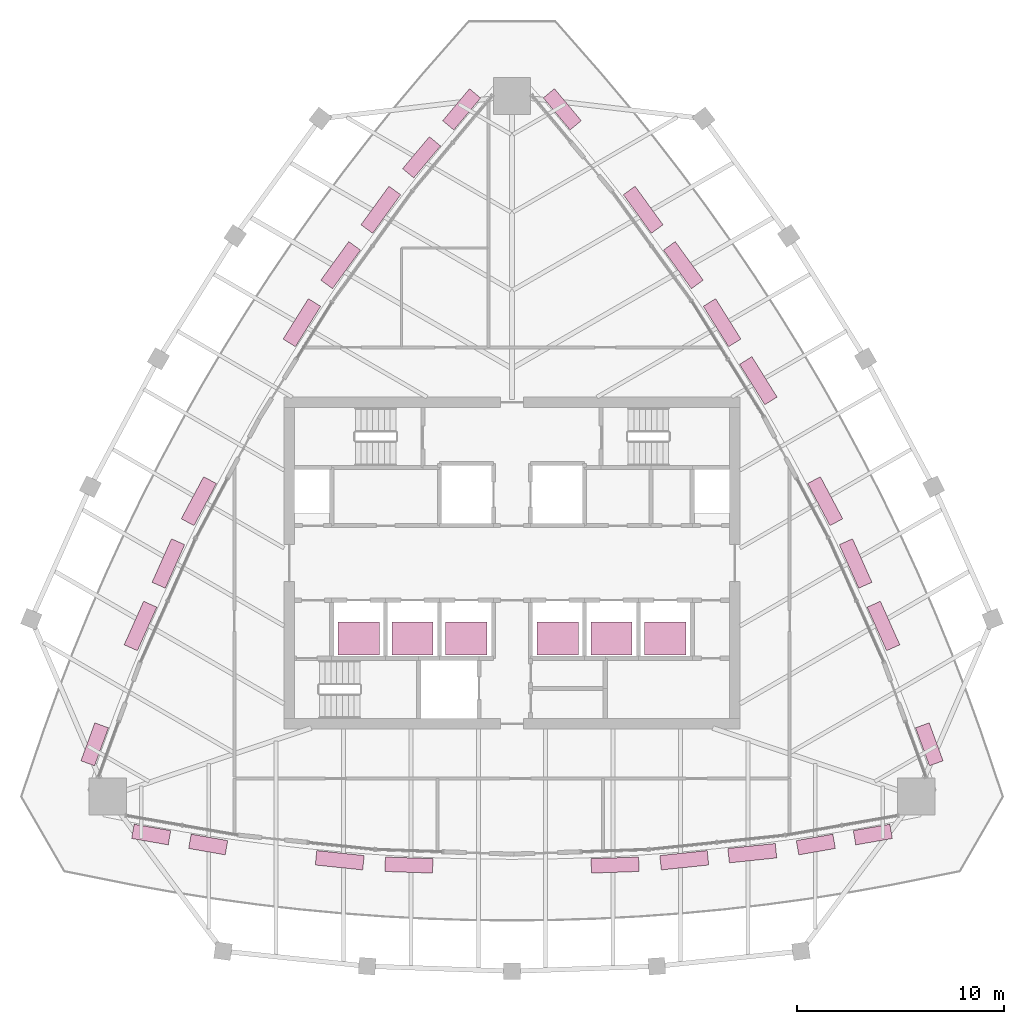
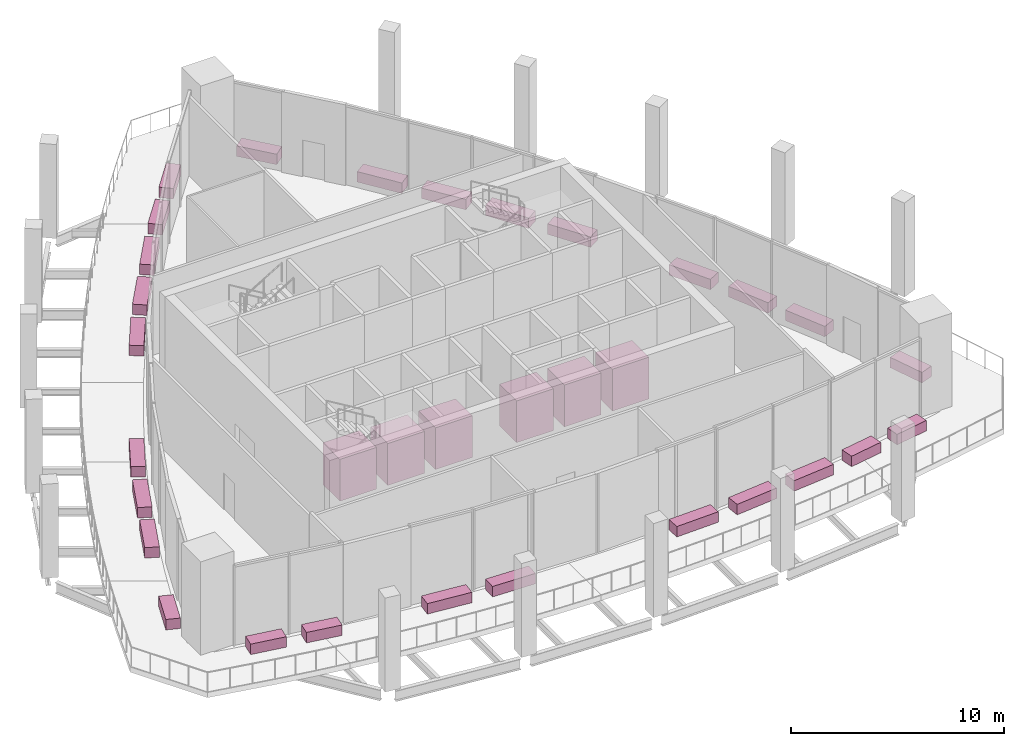
# One storey, part 14 of 14: 27 furniture elements, 6 transport elements.
"""IFC4 building model written with IfcOpenShell, lengths in metres."""

from ifc_helpers import new_model, si_unit, direction, frame, origin, origin_2d, place, context, subcontext, project, spatial, rectangle, extrude, material, type_object, element, save


model = new_model("IFC4")

# Units and contexts
model_context = context("Model", 3, precision=1e-05, world=origin(), true_north=direction((0.0, 1.0)))
body_context = subcontext(model_context, "Body", "Model", "MODEL_VIEW")
ifc_project = project(units=[si_unit("LENGTHUNIT", "METRE"), si_unit("AREAUNIT", "SQUARE_METRE"), si_unit("VOLUMEUNIT", "CUBIC_METRE"), si_unit("PLANEANGLEUNIT", "RADIAN"), si_unit("MASSUNIT", "GRAM", prefix="KILO")], contexts=[model_context])

# Site, building, storey
site_placement = place(None, origin())
site = spatial("IfcSite", under=ifc_project, at=site_placement, CompositionType="ELEMENT")
building_placement = place(site_placement, origin())
building = spatial("IfcBuilding", under=site, at=building_placement, Name="Sierra Prisma Convention Tower", CompositionType="ELEMENT")
storey_placement = place(building_placement, frame((0.0, 0.0, 339.39990234375)))
storey = spatial("IfcBuildingStorey", under=building, at=storey_placement, Name="L76", CompositionType="ELEMENT", Elevation=339.39990234375)

# Transport elements
ifc_material_1 = material(Name="Stainless steel", Category="steel")
transport_element_type = type_object("IfcTransportElementType", Name="Lift car office high 2000x1600 1600 kg", PredefinedType="ELEVATOR", material=ifc_material_1)
for number, where, z_axis, x_axis, name in (
    (1, (-7.39990234375, -3.64990234375, 0.000244140625), (0.0, 0.0, 1.0), (1.0, 0.0, 0.0), "Lift OH1"),
    (2, (-4.800048828125, -3.64990234375, 0.000244140625), (0.0, 0.0, 1.0), (1.0, 0.0, 0.0), "Lift OH2"),
    (3, (-2.199951171875, -3.64990234375, 0.000244140625), (0.0, 0.0, 1.0), (1.0, 0.0, 0.0), "Lift OH3"),
    (4, (2.199951171875, -3.64990234375, 0.000244140625), (0.0, 0.0, 1.0), (1.0, 0.0, 0.0), "Lift OH4"),
    (5, (4.800048828125, -3.64990234375, 0.000244140625), (0.0, 0.0, 1.0), (1.0, 0.0, 0.0), "Lift OH5"),
    (6, (7.39990234375, -3.64990234375, 0.000244140625), (0.0, 0.0, 1.0), (1.0, 0.0, 0.0), "Lift OH6"),
):
    element("IfcTransportElement", number, at=place(storey_placement, frame(where, z_axis=z_axis, x_axis=x_axis)), inside=storey, type_object=transport_element_type, Name=name, PredefinedType="ELEVATOR", context=body_context, shape_type="SweptSolid", body=[
        extrude(rectangle(XDim=2.0, YDim=1.60009765625, at=origin_2d()), origin(), (0.0, 0.0, 1.0), 2.39990234375),
    ])

# Furniture
ifc_material_2 = material(Name="Precast concrete C40/50", Category="concrete")
furniture_type = type_object("IfcFurnitureType", Name="Terrace planter", AssemblyPlace="NOTDEFINED", PredefinedType="USERDEFINED", material=ifc_material_2)
for number, where, z_axis, x_axis, name in (
    (7, (-17.41064453125, -13.10546875, 0.0400390625), (0.0, 0.0, 1.0), (0.985059501445, -0.172214339159, 0.0), "Deck planter L76"),
    (8, (-14.660400390625, -13.586181640625, 0.0400390625), (0.0, 0.0, 1.0), (0.985059501445, -0.172214339159, 0.0), "Deck planter L76"),
):
    element("IfcFurniture", number, at=place(storey_placement, frame(where, z_axis=z_axis, x_axis=x_axis)), inside=storey, type_object=furniture_type, Name=name, ObjectType="PLANTER", PredefinedType="USERDEFINED", context=body_context, shape_type="SweptSolid", body=[
        extrude(rectangle(XDim=1.791748046875, YDim=0.699951171875, at=origin_2d()), origin(), (0.0, 0.0, 1.0), 0.60009765625),
    ])
for number, where, z_axis, x_axis, name in (
    (9, (-8.3125, -14.3466796875, 0.0400390625), (0.0, 0.0, 1.0), (0.994612817709, -0.103659745555, 0.0), "Deck planter L76"),
    (10, (-4.972900390625, -14.578125, 0.0400390625), (0.0, 0.0, 1.0), (0.999400945798, -0.034608518301, 0.0), "Deck planter L76"),
    (11, (4.972900390625, -14.578125, 0.0400390625), (0.0, 0.0, 1.0), (0.999400945798, 0.034608518301, 0.0), "Deck planter L76"),
    (12, (8.3125, -14.3466796875, 0.0400390625), (0.0, 0.0, 1.0), (0.994612817709, 0.103659745555, 0.0), "Deck planter L76"),
    (13, (11.595703125, -14.00439453125, 0.0400390625), (0.0, 0.0, 1.0), (0.994612817709, 0.103659745555, 0.0), "Deck planter L76"),
):
    element("IfcFurniture", number, at=place(storey_placement, frame(where, z_axis=z_axis, x_axis=x_axis)), inside=storey, type_object=furniture_type, Name=name, ObjectType="PLANTER", PredefinedType="USERDEFINED", context=body_context, shape_type="SweptSolid", body=[
        extrude(rectangle(XDim=2.301025390625, YDim=0.699951171875, at=origin_2d()), origin(), (0.0, 0.0, 1.0), 0.60009765625),
    ])
for number, where, z_axis, x_axis, name in (
    (14, (14.660400390625, -13.586181640625, 0.0400390625), (0.0, 0.0, 1.0), (0.985059501445, 0.172214339159, 0.0), "Deck planter L76"),
    (15, (17.41064453125, -13.10546875, 0.0400390625), (0.0, 0.0, 1.0), (0.985059501445, 0.172214339159, 0.0), "Deck planter L76"),
):
    element("IfcFurniture", number, at=place(storey_placement, frame(where, z_axis=z_axis, x_axis=x_axis)), inside=storey, type_object=furniture_type, Name=name, ObjectType="PLANTER", PredefinedType="USERDEFINED", context=body_context, shape_type="SweptSolid", body=[
        extrude(rectangle(XDim=1.791748046875, YDim=0.699951171875, at=origin_2d()), origin(), (0.0, 0.0, 1.0), 0.60009765625),
    ])
furniture_1_placement = place(storey_placement, frame((20.1376953125, -8.751220703125, 0.0400390625), z_axis=(0.0, 0.0, 1.0), x_axis=(-0.343387758115, 0.939193722071, 0.0)))
element("IfcFurniture", 16, at=furniture_1_placement, inside=storey, type_object=furniture_type, Name="Deck planter L76", ObjectType="PLANTER", PredefinedType="USERDEFINED", context=body_context, shape_type="SweptSolid", body=[
    extrude(rectangle(XDim=1.9521484375, YDim=0.699951171875, at=origin_2d()), origin(), (0.0, 0.0, 1.0), 0.60009765625),
])
for number, where, z_axis, x_axis, name in (
    (17, (17.926025390625, -3.0400390625, 0.0400390625), (0.0, 0.0, 1.0), (-0.407534435854, 0.913189839843, 0.0), "Deck planter L76"),
    (18, (16.580810546875, -0.025390625, 0.0400390625), (0.0, 0.0, 1.0), (-0.407534435854, 0.913189839843, 0.0), "Deck planter L76"),
    (19, (15.111572265625, 2.982421875, 0.0400390625), (0.0, 0.0, 1.0), (-0.469728616863, 0.882810866777, 0.0), "Deck planter L76"),
    (20, (11.88720703125, 8.795654296875, 0.0400390625), (0.0, 0.0, 1.0), (-0.529672328935, 0.848202348476, 0.0), "Deck planter L76"),
    (21, (10.138671875, 11.595703125, 0.0400390625), (0.0, 0.0, 1.0), (-0.529672328935, 0.848202348476, 0.0), "Deck planter L76"),
    (22, (8.268310546875, 14.3720703125, 0.0400390625), (0.0, 0.0, 1.0), (-0.587078381855, 0.809530094288, 0.0), "Deck planter L76"),
    (23, (6.330322265625, 17.04443359375, 0.0400390625), (0.0, 0.0, 1.0), (-0.587078381855, 0.809530094288, 0.0), "Deck planter L76"),
):
    element("IfcFurniture", number, at=place(storey_placement, frame(where, z_axis=z_axis, x_axis=x_axis)), inside=storey, type_object=furniture_type, Name=name, ObjectType="PLANTER", PredefinedType="USERDEFINED", context=body_context, shape_type="SweptSolid", body=[
        extrude(rectangle(XDim=2.301025390625, YDim=0.699951171875, at=origin_2d()), origin(), (0.0, 0.0, 1.0), 0.60009765625),
    ])
furniture_2_placement = place(storey_placement, frame((2.4267578125, 21.890869140625, 0.0400390625), z_axis=(0.0, 0.0, 1.0), x_axis=(-0.641671743331, 0.766979382911, 0.0)))
element("IfcFurniture", 24, at=furniture_2_placement, inside=storey, type_object=furniture_type, Name="Deck planter L76", ObjectType="PLANTER", PredefinedType="USERDEFINED", context=body_context, shape_type="SweptSolid", body=[
    extrude(rectangle(XDim=2.017822265625, YDim=0.699951171875, at=origin_2d()), origin(), (0.0, 0.0, 1.0), 0.60009765625),
])
for number, where, z_axis, x_axis, name in (
    (25, (-2.42919921875, 21.887939453125, 0.0400390625), (0.0, 0.0, 1.0), (-0.641671743331, -0.766979382911, 0.0), "Deck planter L76"),
    (26, (-4.364013671875, 19.5751953125, 0.0400390625), (0.0, 0.0, 1.0), (-0.641671743331, -0.766979382911, 0.0), "Deck planter L76"),
):
    element("IfcFurniture", number, at=place(storey_placement, frame(where, z_axis=z_axis, x_axis=x_axis)), inside=storey, type_object=furniture_type, Name=name, ObjectType="PLANTER", PredefinedType="USERDEFINED", context=body_context, shape_type="SweptSolid", body=[
        extrude(rectangle(XDim=2.015380859375, YDim=0.699951171875, at=origin_2d()), origin(), (0.0, 0.0, 1.0), 0.60009765625),
    ])
for number, where, z_axis, x_axis, name in (
    (27, (-6.330322265625, 17.04443359375, 0.0400390625), (0.0, 0.0, 1.0), (-0.587078381855, -0.809530094288, 0.0), "Deck planter L76"),
    (28, (-8.268310546875, 14.3720703125, 0.0400390625), (0.0, 0.0, 1.0), (-0.587078381855, -0.809530094288, 0.0), "Deck planter L76"),
    (29, (-10.138671875, 11.595703125, 0.0400390625), (0.0, 0.0, 1.0), (-0.529672328935, -0.848202348476, 0.0), "Deck planter L76"),
    (30, (-15.111572265625, 2.982421875, 0.0400390625), (0.0, 0.0, 1.0), (-0.469728616863, -0.882810866777, 0.0), "Deck planter L76"),
    (31, (-16.580810546875, -0.025390625, 0.0400390625), (0.0, 0.0, 1.0), (-0.407534435854, -0.913189839843, 0.0), "Deck planter L76"),
    (32, (-17.926025390625, -3.0400390625, 0.0400390625), (0.0, 0.0, 1.0), (-0.407534435854, -0.913189839843, 0.0), "Deck planter L76"),
):
    element("IfcFurniture", number, at=place(storey_placement, frame(where, z_axis=z_axis, x_axis=x_axis)), inside=storey, type_object=furniture_type, Name=name, ObjectType="PLANTER", PredefinedType="USERDEFINED", context=body_context, shape_type="SweptSolid", body=[
        extrude(rectangle(XDim=2.301025390625, YDim=0.699951171875, at=origin_2d()), origin(), (0.0, 0.0, 1.0), 0.60009765625),
    ])
furniture_3_placement = place(storey_placement, frame((-20.13720703125, -8.75048828125, 0.0400390625), z_axis=(0.0, 0.0, 1.0), x_axis=(-0.343387758115, -0.939193722071, 0.0)))
element("IfcFurniture", 33, at=furniture_3_placement, inside=storey, type_object=furniture_type, Name="Deck planter L76", ObjectType="PLANTER", PredefinedType="USERDEFINED", context=body_context, shape_type="SweptSolid", body=[
    extrude(rectangle(XDim=1.95166015625, YDim=0.699951171875, at=origin_2d()), origin(), (0.0, 0.0, 1.0), 0.60009765625),
])

save(model, "model.ifc")
